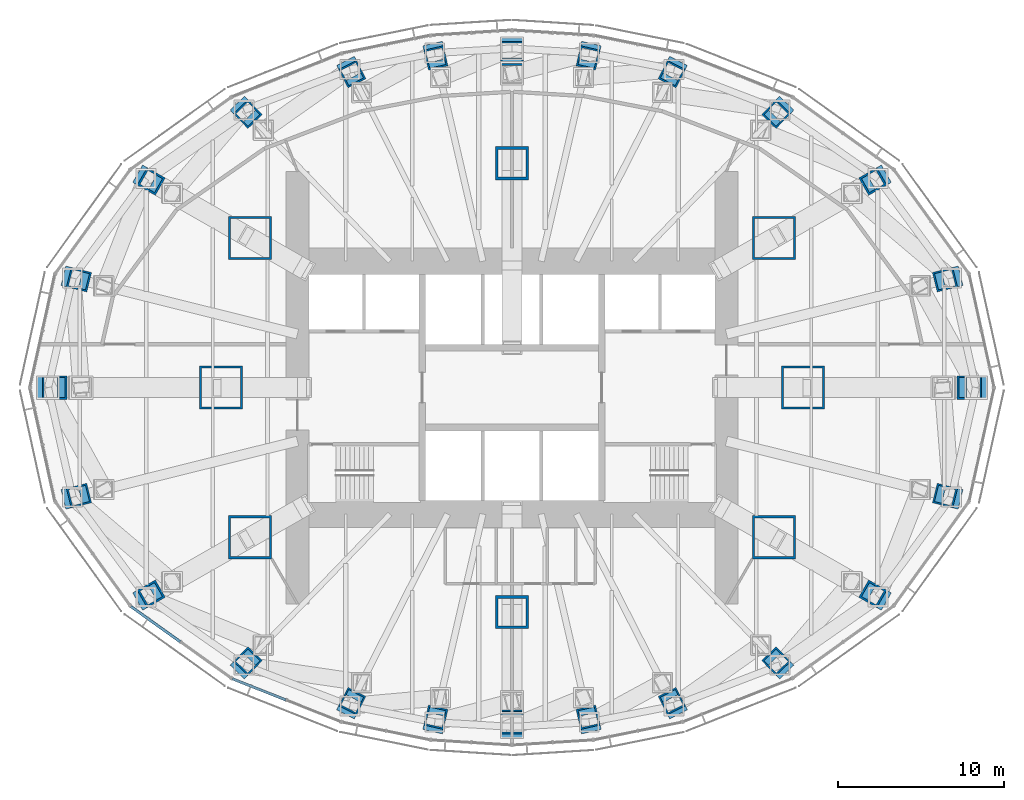
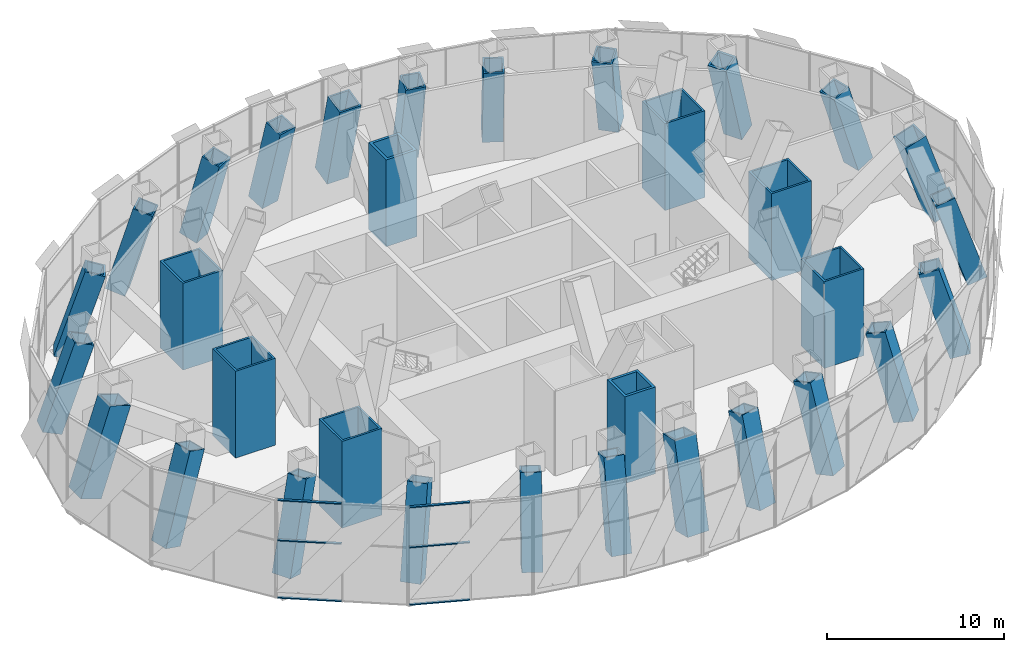
# One storey, part 1 of 19: 32 columns, 6 members, 2 elements without a shape of their own.
"""IFC4 building model written with IfcOpenShell, lengths in metres."""

from ifc_helpers import new_model, si_unit, direction, frame, origin, origin_2d, place, context, subcontext, project, spatial, rectangle, hollow_rectangle, extrude, material, material_profile, profile_set, type_object, element, aggregate, save


model = new_model("IFC4")

# Units and contexts
model_context = context("Model", 3, precision=1e-05, world=origin(), true_north=direction((0.0, 1.0)))
body_context = subcontext(model_context, "Body", "Model", "MODEL_VIEW")
ifc_project = project(units=[si_unit("LENGTHUNIT", "METRE"), si_unit("AREAUNIT", "SQUARE_METRE"), si_unit("VOLUMEUNIT", "CUBIC_METRE"), si_unit("PLANEANGLEUNIT", "RADIAN"), si_unit("MASSUNIT", "GRAM", prefix="KILO")], contexts=[model_context])

# Site, building, storey
site_placement = place(None, origin())
site = spatial("IfcSite", under=ifc_project, at=site_placement, CompositionType="ELEMENT")
building_placement = place(site_placement, origin())
building = spatial("IfcBuilding", under=site, at=building_placement, Name="Lantaw Convention Tower", CompositionType="ELEMENT")
storey_placement = place(building_placement, frame((0.0, 0.0, 193.0)))
storey = spatial("IfcBuildingStorey", under=building, at=storey_placement, Name="L45", CompositionType="ELEMENT", Elevation=193.0)

# Columns
ifc_material_1 = material(Name="Steel EN 10025-3 S460N", Category="steel")
ifc_material_profile_1 = material_profile(ifc_material_1, hollow_rectangle(XDim=2.0, YDim=2.0, WallThickness=0.169921875, at=origin_2d()), Name="BOX2000X170")
ifc_material_2 = material(Name="Concrete C60/75", Category="concrete")
ifc_material_profile_2 = material_profile(ifc_material_2, rectangle(XDim=1.659912109375, YDim=1.659912109375, at=origin_2d()), Name="Concrete fill of BOX2000X170")
ifc_profile_set_1 = profile_set([ifc_material_profile_1, ifc_material_profile_2], Name="Steel EN 10025-3 S460N")
column_type_1 = type_object("IfcColumnType", Name="Column MC BOX2000X170", PredefinedType="COLUMN", material=ifc_profile_set_1)
for number, where, z_axis, x_axis, name in (
    (1, (0.0, 13.5, 0.0), (0.0, 0.0, 1.0), (1.0, 0.0, 0.0), "Mega column M3"),
    (2, (0.0, -13.5, 0.0), (0.0, 0.0, 1.0), (1.0, 0.0, 0.0), "Mega column M7"),
):
    element("IfcColumn", number, at=place(storey_placement, frame(where, z_axis=z_axis, x_axis=x_axis)), inside=storey, type_object=column_type_1, Name=name, PredefinedType="COLUMN", context=body_context, shape_type="SweptSolid", body=[
        extrude(hollow_rectangle(XDim=2.0, YDim=2.0, WallThickness=0.169921875, at=origin_2d()), origin(), (0.0, 0.0, 1.0), 6.0),
    ])
ifc_material_profile_3 = material_profile(ifc_material_1, hollow_rectangle(XDim=2.60009765625, YDim=2.60009765625, WallThickness=0.1298828125, at=origin_2d()), Name="BOX2600X130")
ifc_material_profile_4 = material_profile(ifc_material_2, rectangle(XDim=2.340087890625, YDim=2.340087890625, at=origin_2d()), Name="Concrete fill of BOX2600X130")
ifc_profile_set_2 = profile_set([ifc_material_profile_3, ifc_material_profile_4], Name="Steel EN 10025-3 S460N")
column_type_2 = type_object("IfcColumnType", Name="Column MC BOX2600X130", PredefinedType="COLUMN", material=ifc_profile_set_2)
for number, where, z_axis, x_axis, name in (
    (3, (17.5, 0.0, 0.0), (0.0, 0.0, 1.0), (1.0, 0.0, 0.0), "Mega column M1"),
    (4, (15.75, 9.0, 0.0), (0.0, 0.0, 1.0), (1.0, 0.0, 0.0), "Mega column M2"),
    (5, (-15.75, 9.0, 0.0), (0.0, 0.0, 1.0), (1.0, 0.0, 0.0), "Mega column M4"),
    (6, (-17.5, 0.0, 0.0), (0.0, 0.0, 1.0), (1.0, 0.0, 0.0), "Mega column M5"),
    (7, (-15.75, -9.0, 0.0), (0.0, 0.0, 1.0), (1.0, 0.0, 0.0), "Mega column M6"),
    (8, (15.75, -9.0, 0.0), (0.0, 0.0, 1.0), (1.0, 0.0, 0.0), "Mega column M8"),
):
    element("IfcColumn", number, at=place(storey_placement, frame(where, z_axis=z_axis, x_axis=x_axis)), inside=storey, type_object=column_type_2, Name=name, PredefinedType="COLUMN", context=body_context, shape_type="SweptSolid", body=[
        extrude(hollow_rectangle(XDim=2.60009765625, YDim=2.60009765625, WallThickness=0.1298828125, at=origin_2d()), origin(), (0.0, 0.0, 1.0), 6.0),
    ])
ifc_material_profile_5 = material_profile(ifc_material_1, hollow_rectangle(XDim=1.199951171875, YDim=1.199951171875, WallThickness=0.10009765625, at=origin_2d()), Name="BOX1200X100")
ifc_material_profile_6 = material_profile(ifc_material_2, rectangle(XDim=1.0, YDim=1.0, at=origin_2d()), Name="Concrete fill of BOX1200X100")
ifc_profile_set_3 = profile_set([ifc_material_profile_5, ifc_material_profile_6], Name="Steel EN 10025-3 S460N")
column_type_3 = type_object("IfcColumnType", Name="Column PC BOX1200X100", PredefinedType="COLUMN", material=ifc_profile_set_3)
column_1_placement = place(storey_placement, frame((26.419921875, 6.587158203125, 0.0), z_axis=(-0.300740657131, -0.074975456692, 0.950754299513), x_axis=(0.24189877761, -0.970301489946, 0.0)))
element("IfcColumn", 9, at=column_1_placement, inside=storey, type_object=column_type_3, Name="Perimeter column P2 (raked)", PredefinedType="COLUMN", context=body_context, shape_type="SweptSolid", body=[
    extrude(hollow_rectangle(XDim=1.199951171875, YDim=1.199951171875, WallThickness=0.10009765625, at=origin_2d()), origin(), (0.0, 0.0, 1.0), 6.112060546875),
])
column_2_placement = place(storey_placement, frame((16.11767578125, 16.690185546875, 0.0), z_axis=(-0.18822591258, -0.194872023339, 0.962598514623), x_axis=(0.719265676815, -0.69473511942, 0.0)))
element("IfcColumn", 10, at=column_2_placement, inside=storey, type_object=column_type_3, Name="Perimeter column P4 (raked)", PredefinedType="COLUMN", context=body_context, shape_type="SweptSolid", body=[
    extrude(hollow_rectangle(XDim=1.199951171875, YDim=1.199951171875, WallThickness=0.10009765625, at=origin_2d()), origin(), (0.0, 0.0, 1.0), 6.061279296875),
])
column_3_placement = place(storey_placement, frame((9.74853515625, 19.1328125, 0.0), z_axis=(-0.115072645182, -0.225902794668, 0.967329423564), x_axis=(0.891055307505, -0.45389474437, 0.0)))
element("IfcColumn", 11, at=column_3_placement, inside=storey, type_object=column_type_3, Name="Perimeter column P5 (raked)", PredefinedType="COLUMN", context=body_context, shape_type="SweptSolid", body=[
    extrude(hollow_rectangle(XDim=1.199951171875, YDim=1.199951171875, WallThickness=0.10009765625, at=origin_2d()), origin(), (0.0, 0.0, 1.0), 6.04248046875),
])
for number, where, z_axis, x_axis, name in (
    (12, (4.64501953125, 20.1201171875, 0.0), (-0.055108290298, -0.23884305259, 0.969493203983), (0.974399541185, -0.224823339843, 0.0), "Perimeter column P6 (raked)"),
    (13, (-4.64501953125, 20.1201171875, 0.0), (0.055108290298, -0.23884305259, 0.969493203983), (0.974399541185, 0.224823339843, 0.0), "Perimeter column P8 (raked)"),
):
    element("IfcColumn", number, at=place(storey_placement, frame(where, z_axis=z_axis, x_axis=x_axis)), inside=storey, type_object=column_type_3, Name=name, PredefinedType="COLUMN", context=body_context, shape_type="SweptSolid", body=[
        extrude(hollow_rectangle(XDim=1.199951171875, YDim=1.199951171875, WallThickness=0.10009765625, at=origin_2d()), origin(), (0.0, 0.0, 1.0), 6.033935546875),
    ])
column_4_placement = place(storey_placement, frame((-9.74853515625, 19.1328125, 0.0), z_axis=(0.115072645182, -0.225902794668, 0.967329423564), x_axis=(0.891055307505, 0.45389474437, 0.0)))
element("IfcColumn", 14, at=column_4_placement, inside=storey, type_object=column_type_3, Name="Perimeter column P9 (raked)", PredefinedType="COLUMN", context=body_context, shape_type="SweptSolid", body=[
    extrude(hollow_rectangle(XDim=1.199951171875, YDim=1.199951171875, WallThickness=0.10009765625, at=origin_2d()), origin(), (0.0, 0.0, 1.0), 6.04248046875),
])
column_5_placement = place(storey_placement, frame((-16.11767578125, 16.690185546875, 0.0), z_axis=(0.18822591258, -0.194872023339, 0.962598514623), x_axis=(0.719265676815, 0.69473511942, 0.0)))
element("IfcColumn", 15, at=column_5_placement, inside=storey, type_object=column_type_3, Name="Perimeter column P10 (raked)", PredefinedType="COLUMN", context=body_context, shape_type="SweptSolid", body=[
    extrude(hollow_rectangle(XDim=1.199951171875, YDim=1.199951171875, WallThickness=0.10009765625, at=origin_2d()), origin(), (0.0, 0.0, 1.0), 6.061279296875),
])
for number, where, z_axis, x_axis, name in (
    (16, (-26.419921875, 6.587158203125, 0.0), (0.300740657131, -0.074975456692, 0.950754299513), (0.24189877761, 0.970301489946, 0.0), "Perimeter column P12 (raked)"),
    (17, (-26.419921875, -6.587158203125, 0.0), (0.300740657131, 0.074975456692, 0.950754299513), (-0.24189877761, 0.970301489946, 0.0), "Perimeter column P14 (raked)"),
):
    element("IfcColumn", number, at=place(storey_placement, frame(where, z_axis=z_axis, x_axis=x_axis)), inside=storey, type_object=column_type_3, Name=name, PredefinedType="COLUMN", context=body_context, shape_type="SweptSolid", body=[
        extrude(hollow_rectangle(XDim=1.199951171875, YDim=1.199951171875, WallThickness=0.10009765625, at=origin_2d()), origin(), (0.0, 0.0, 1.0), 6.112060546875),
    ])
column_6_placement = place(storey_placement, frame((-16.11767578125, -16.690185546875, 0.0), z_axis=(0.18822591258, 0.194872023339, 0.962598514623), x_axis=(-0.719265676815, 0.69473511942, 0.0)))
element("IfcColumn", 18, at=column_6_placement, inside=storey, type_object=column_type_3, Name="Perimeter column P16 (raked)", PredefinedType="COLUMN", context=body_context, shape_type="SweptSolid", body=[
    extrude(hollow_rectangle(XDim=1.199951171875, YDim=1.199951171875, WallThickness=0.10009765625, at=origin_2d()), origin(), (0.0, 0.0, 1.0), 6.061279296875),
])
column_7_placement = place(storey_placement, frame((-9.74853515625, -19.1328125, 0.0), z_axis=(0.115072645182, 0.225902794668, 0.967329423564), x_axis=(-0.891055307505, 0.45389474437, 0.0)))
element("IfcColumn", 19, at=column_7_placement, inside=storey, type_object=column_type_3, Name="Perimeter column P17 (raked)", PredefinedType="COLUMN", context=body_context, shape_type="SweptSolid", body=[
    extrude(hollow_rectangle(XDim=1.199951171875, YDim=1.199951171875, WallThickness=0.10009765625, at=origin_2d()), origin(), (0.0, 0.0, 1.0), 6.04248046875),
])
for number, where, z_axis, x_axis, name in (
    (20, (-4.64501953125, -20.1201171875, 0.0), (0.055108290298, 0.23884305259, 0.969493203983), (-0.974399541185, 0.224823339843, 0.0), "Perimeter column P18 (raked)"),
    (21, (4.64501953125, -20.1201171875, 0.0), (-0.055108290298, 0.23884305259, 0.969493203983), (-0.974399541185, -0.224823339843, 0.0), "Perimeter column P20 (raked)"),
):
    element("IfcColumn", number, at=place(storey_placement, frame(where, z_axis=z_axis, x_axis=x_axis)), inside=storey, type_object=column_type_3, Name=name, PredefinedType="COLUMN", context=body_context, shape_type="SweptSolid", body=[
        extrude(hollow_rectangle(XDim=1.199951171875, YDim=1.199951171875, WallThickness=0.10009765625, at=origin_2d()), origin(), (0.0, 0.0, 1.0), 6.033935546875),
    ])
column_8_placement = place(storey_placement, frame((9.74853515625, -19.1328125, 0.0), z_axis=(-0.115072645182, 0.225902794668, 0.967329423564), x_axis=(-0.891055307505, -0.45389474437, 0.0)))
element("IfcColumn", 22, at=column_8_placement, inside=storey, type_object=column_type_3, Name="Perimeter column P21 (raked)", PredefinedType="COLUMN", context=body_context, shape_type="SweptSolid", body=[
    extrude(hollow_rectangle(XDim=1.199951171875, YDim=1.199951171875, WallThickness=0.10009765625, at=origin_2d()), origin(), (0.0, 0.0, 1.0), 6.04248046875),
])
column_9_placement = place(storey_placement, frame((16.11767578125, -16.690185546875, 0.0), z_axis=(-0.18822591258, 0.194872023339, 0.962598514623), x_axis=(-0.719265676815, -0.69473511942, 0.0)))
element("IfcColumn", 23, at=column_9_placement, inside=storey, type_object=column_type_3, Name="Perimeter column P22 (raked)", PredefinedType="COLUMN", context=body_context, shape_type="SweptSolid", body=[
    extrude(hollow_rectangle(XDim=1.199951171875, YDim=1.199951171875, WallThickness=0.10009765625, at=origin_2d()), origin(), (0.0, 0.0, 1.0), 6.061279296875),
])
column_10_placement = place(storey_placement, frame((26.419921875, -6.587158203125, 0.0), z_axis=(-0.300740657131, 0.074975456692, 0.950754299513), x_axis=(-0.24189877761, -0.970301489946, 0.0)))
element("IfcColumn", 24, at=column_10_placement, inside=storey, type_object=column_type_3, Name="Perimeter column P24 (raked)", PredefinedType="COLUMN", context=body_context, shape_type="SweptSolid", body=[
    extrude(hollow_rectangle(XDim=1.199951171875, YDim=1.199951171875, WallThickness=0.10009765625, at=origin_2d()), origin(), (0.0, 0.0, 1.0), 6.112060546875),
])
ifc_material_profile_7 = material_profile(ifc_material_1, hollow_rectangle(XDim=1.199951171875, YDim=1.199951171875, WallThickness=0.1201171875, at=origin_2d()), Name="BOX1200X120")
ifc_material_profile_8 = material_profile(ifc_material_2, rectangle(XDim=0.9599609375, YDim=0.9599609375, at=origin_2d()), Name="Concrete fill of BOX1200X120")
ifc_profile_set_4 = profile_set([ifc_material_profile_7, ifc_material_profile_8], Name="Steel EN 10025-3 S460N")
column_type_4 = type_object("IfcColumnType", Name="Column PC BOX1200X120", PredefinedType="COLUMN", material=ifc_profile_set_4)
for number, where, z_axis, x_axis, name in (
    (25, (22.013916015625, 12.579345703125, 0.0), (-0.253597337108, -0.144907034473, 0.956394448945), (0.496124150365, -0.868251592238, 0.0), "Perimeter column P3 (raked)"),
    (26, (-22.013916015625, 12.579345703125, 0.0), (0.253597337108, -0.144907034473, 0.956394448945), (0.496124150365, 0.868251592238, 0.0), "Perimeter column P11 (raked)"),
    (27, (-22.013916015625, -12.579345703125, 0.0), (0.253597337108, 0.144907034473, 0.956394448945), (-0.496124150365, 0.868251592238, 0.0), "Perimeter column P15 (raked)"),
    (28, (22.013916015625, -12.579345703125, 0.0), (-0.253597337108, 0.144907034473, 0.956394448945), (-0.496124150365, -0.868251592238, 0.0), "Perimeter column P23 (raked)"),
):
    element("IfcColumn", number, at=place(storey_placement, frame(where, z_axis=z_axis, x_axis=x_axis)), inside=storey, type_object=column_type_4, Name=name, PredefinedType="COLUMN", context=body_context, shape_type="SweptSolid", body=[
        extrude(hollow_rectangle(XDim=1.199951171875, YDim=1.199951171875, WallThickness=0.1201171875, at=origin_2d()), origin(), (0.0, 0.0, 1.0), 6.087158203125),
    ])
ifc_material_profile_9 = material_profile(ifc_material_1, hollow_rectangle(XDim=1.39990234375, YDim=1.39990234375, WallThickness=0.10009765625, at=origin_2d()), Name="BOX1400X100")
ifc_material_profile_10 = material_profile(ifc_material_2, rectangle(XDim=1.199951171875, YDim=1.199951171875, at=origin_2d()), Name="Concrete fill of BOX1400X100")
ifc_profile_set_5 = profile_set([ifc_material_profile_9, ifc_material_profile_10], Name="Steel EN 10025-3 S460N")
column_type_5 = type_object("IfcColumnType", Name="Column PC BOX1400X100", PredefinedType="COLUMN", material=ifc_profile_set_5)
column_11_placement = place(storey_placement, frame((27.89990234375, 0.0, 0.0), z_axis=(-0.316203704758, 0.0, 0.948691318131), x_axis=(0.0, -1.0, 0.0)))
element("IfcColumn", 29, at=column_11_placement, inside=storey, type_object=column_type_5, Name="Perimeter column P1 (raked)", PredefinedType="COLUMN", context=body_context, shape_type="SweptSolid", body=[
    extrude(hollow_rectangle(XDim=1.39990234375, YDim=1.39990234375, WallThickness=0.10009765625, at=origin_2d()), origin(), (0.0, 0.0, 1.0), 6.087890625),
])
column_12_placement = place(storey_placement, frame((0.0, 20.39990234375, 0.0), z_axis=(0.0, -0.242535625036, 0.970142500145), x_axis=(1.0, 0.0, 0.0)))
element("IfcColumn", 30, at=column_12_placement, inside=storey, type_object=column_type_5, Name="Perimeter column P7 (raked)", PredefinedType="COLUMN", context=body_context, shape_type="SweptSolid", body=[
    extrude(hollow_rectangle(XDim=1.39990234375, YDim=1.39990234375, WallThickness=0.10009765625, at=origin_2d()), origin(), (0.0, 0.0, 1.0), 6.006591796875),
])
column_13_placement = place(storey_placement, frame((-27.89990234375, 0.0, 0.0), z_axis=(0.316203704758, 0.0, 0.948691318131), x_axis=(0.0, 1.0, 0.0)))
element("IfcColumn", 31, at=column_13_placement, inside=storey, type_object=column_type_5, Name="Perimeter column P13 (raked)", PredefinedType="COLUMN", context=body_context, shape_type="SweptSolid", body=[
    extrude(hollow_rectangle(XDim=1.39990234375, YDim=1.39990234375, WallThickness=0.10009765625, at=origin_2d()), origin(), (0.0, 0.0, 1.0), 6.087890625),
])
column_14_placement = place(storey_placement, frame((0.0, -20.39990234375, 0.0), z_axis=(0.0, 0.242535625036, 0.970142500145), x_axis=(-1.0, 0.0, 0.0)))
element("IfcColumn", 32, at=column_14_placement, inside=storey, type_object=column_type_5, Name="Perimeter column P19 (raked)", PredefinedType="COLUMN", context=body_context, shape_type="SweptSolid", body=[
    extrude(hollow_rectangle(XDim=1.39990234375, YDim=1.39990234375, WallThickness=0.10009765625, at=origin_2d()), origin(), (0.0, 0.0, 1.0), 6.006591796875),
])

# Curtain wall, members
ifc_material_3 = material(Name="Aluminium framed curtain wall", Category="aluminium")
curtain_wall_type = type_object("IfcCurtainWallType", Name="Plant floor louvre wall, pale aluminium", PredefinedType="USERDEFINED", material=ifc_material_3)
curtain_wall_1_placement = place(storey_placement, origin())
curtain_wall_1 = element("IfcCurtainWall", 33, at=curtain_wall_1_placement, inside=storey, type_object=curtain_wall_type, Name="Plant floor louvre wall, pale aluminium L45", ObjectType="LOUVRE WALL", PredefinedType="USERDEFINED")
ifc_material_4 = material(Name="Aluminium 6063-T6", Category="aluminium")
ifc_material_profile_11 = material_profile(ifc_material_4, rectangle(XDim=0.159912109375, YDim=0.070068359375, at=origin_2d()), Name="CW-LV transom 70x160")
ifc_profile_set_6 = profile_set([ifc_material_profile_11], Name="Aluminium 6063-T6")
member_type = type_object("IfcMemberType", Name="CW-LV transom 70x160", PredefinedType="USERDEFINED", material=ifc_profile_set_6)
member_1_placement = place(storey_placement, frame((-22.912109375, -13.166015625, -0.965087890625), z_axis=(0.813225267736, -0.58194902175, 0.0), x_axis=(0.58194902175, 0.813225267736, 0.0)))
member_1 = element("IfcMember", 34, at=member_1_placement, type_object=member_type, Name="CW-LV transom 1.1", ObjectType="TRANSOM", PredefinedType="USERDEFINED", context=body_context, shape_type="SweptSolid", body=[
    extrude(rectangle(XDim=0.159912109375, YDim=0.070068359375, at=origin_2d()), origin(), (0.0, 0.0, 1.0), 3.6376953125),
])
member_2_placement = place(storey_placement, frame((-22.912109375, -13.166015625, 3.0), z_axis=(0.813225267736, -0.58194902175, 0.0), x_axis=(0.58194902175, 0.813225267736, 0.0)))
member_2 = element("IfcMember", 35, at=member_2_placement, type_object=member_type, Name="CW-LV transom 1.2", ObjectType="TRANSOM", PredefinedType="USERDEFINED", context=body_context, shape_type="SweptSolid", body=[
    extrude(rectangle(XDim=0.159912109375, YDim=0.070068359375, at=origin_2d()), origin(), (0.0, 0.0, 1.0), 3.6376953125),
])
member_3_placement = place(storey_placement, frame((-22.912109375, -13.166015625, 5.764892578125), z_axis=(0.813225267736, -0.58194902175, 0.0), x_axis=(0.58194902175, 0.813225267736, 0.0)))
member_3 = element("IfcMember", 36, at=member_3_placement, type_object=member_type, Name="CW-LV transom 1.3", ObjectType="TRANSOM", PredefinedType="USERDEFINED", context=body_context, shape_type="SweptSolid", body=[
    extrude(rectangle(XDim=0.159912109375, YDim=0.070068359375, at=origin_2d()), origin(), (0.0, 0.0, 1.0), 3.6376953125),
])
aggregate(curtain_wall_1, [member_1, member_2, member_3])

curtain_wall_2_placement = place(storey_placement, origin())
curtain_wall_2 = element("IfcCurtainWall", 37, at=curtain_wall_2_placement, inside=storey, type_object=curtain_wall_type, Name="Plant floor louvre wall, pale aluminium L45", ObjectType="LOUVRE WALL", PredefinedType="USERDEFINED")
member_4_placement = place(storey_placement, frame((-16.816650390625, -17.50732421875, -0.965087890625), z_axis=(0.929552078691, -0.368690836611, 0.0), x_axis=(0.368690836611, 0.929552078691, 0.0)))
member_4 = element("IfcMember", 38, at=member_4_placement, type_object=member_type, Name="CW-LV transom 1.1", ObjectType="TRANSOM", PredefinedType="USERDEFINED", context=body_context, shape_type="SweptSolid", body=[
    extrude(rectangle(XDim=0.159912109375, YDim=0.070068359375, at=origin_2d()), origin(), (0.0, 0.0, 1.0), 3.463134765625),
])
member_5_placement = place(storey_placement, frame((-16.816650390625, -17.50732421875, 3.0), z_axis=(0.929552078691, -0.368690836611, 0.0), x_axis=(0.368690836611, 0.929552078691, 0.0)))
member_5 = element("IfcMember", 39, at=member_5_placement, type_object=member_type, Name="CW-LV transom 1.2", ObjectType="TRANSOM", PredefinedType="USERDEFINED", context=body_context, shape_type="SweptSolid", body=[
    extrude(rectangle(XDim=0.159912109375, YDim=0.070068359375, at=origin_2d()), origin(), (0.0, 0.0, 1.0), 3.463134765625),
])
member_6_placement = place(storey_placement, frame((-16.816650390625, -17.50732421875, 5.764892578125), z_axis=(0.929552078691, -0.368690836611, 0.0), x_axis=(0.368690836611, 0.929552078691, 0.0)))
member_6 = element("IfcMember", 40, at=member_6_placement, type_object=member_type, Name="CW-LV transom 1.3", ObjectType="TRANSOM", PredefinedType="USERDEFINED", context=body_context, shape_type="SweptSolid", body=[
    extrude(rectangle(XDim=0.159912109375, YDim=0.070068359375, at=origin_2d()), origin(), (0.0, 0.0, 1.0), 3.463134765625),
])
aggregate(curtain_wall_2, [member_4, member_5, member_6])

save(model, "model.ifc")
